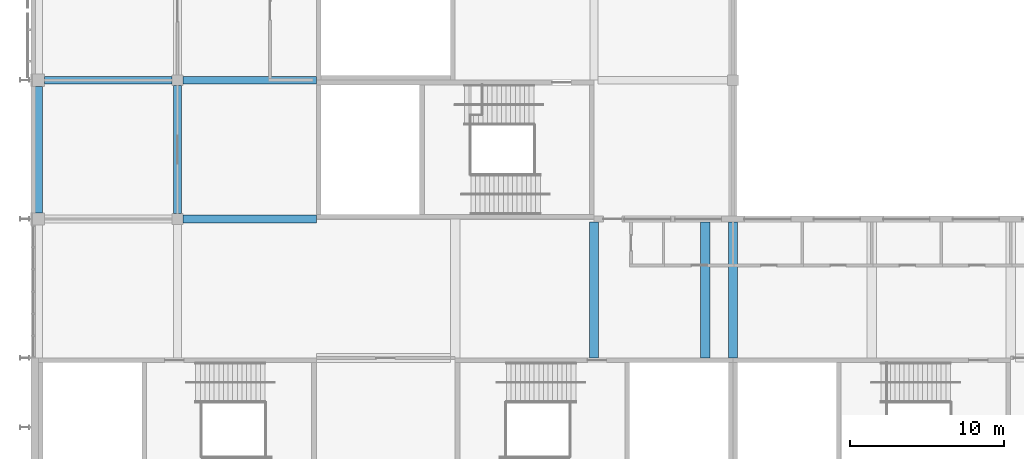
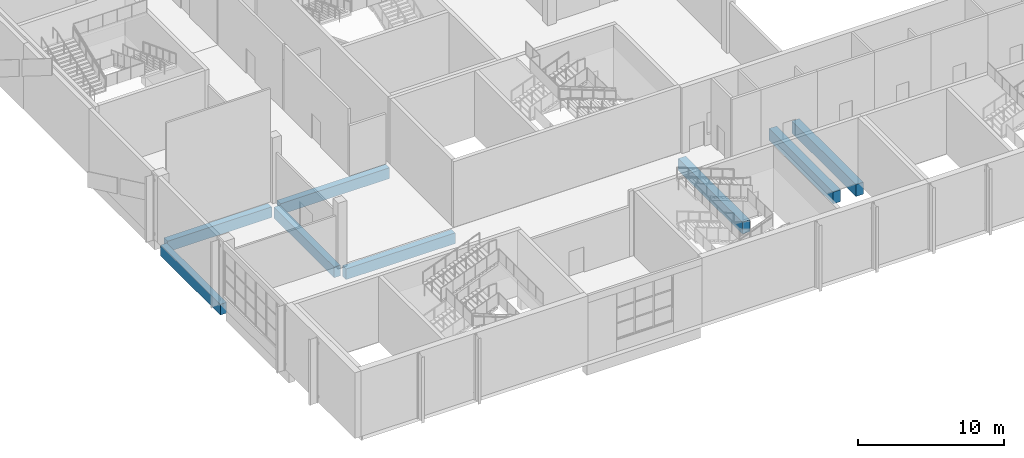
# One storey, part 3 of 84: 8 beams.
"""IFC4 building model written with IfcOpenShell, lengths in metres."""

from ifc_helpers import new_model, si_unit, direction, frame, origin, origin_2d, place, context, subcontext, project, spatial, rectangle, extrude, material, material_profile, profile_set, type_object, element, save


model = new_model("IFC4")

# Units and contexts
model_context = context("Model", 3, precision=1e-05, world=origin(), true_north=direction((0.0, 1.0)))
body_context = subcontext(model_context, "Body", "Model", "MODEL_VIEW")
ifc_project = project(units=[si_unit("LENGTHUNIT", "METRE"), si_unit("AREAUNIT", "SQUARE_METRE"), si_unit("VOLUMEUNIT", "CUBIC_METRE"), si_unit("PLANEANGLEUNIT", "RADIAN"), si_unit("MASSUNIT", "GRAM", prefix="KILO")], contexts=[model_context])

# Site, building, storey
site_placement = place(None, origin())
site = spatial("IfcSite", under=ifc_project, at=site_placement, CompositionType="ELEMENT")
building_placement = place(site_placement, origin())
building = spatial("IfcBuilding", under=site, at=building_placement, Name="Silverbay Arena", CompositionType="ELEMENT")
storey_placement = place(building_placement, frame((0.0, 0.0, 28.0)))
storey = spatial("IfcBuildingStorey", under=building, at=storey_placement, Name="L04", CompositionType="ELEMENT", Elevation=28.0)

# Beams
ifc_material_1 = material(Name="Concrete Grade C45", Category="concrete")
ifc_material_profile_1 = material_profile(ifc_material_1, rectangle(XDim=0.5, YDim=0.89990234375, at=origin_2d()), Name="RC 500x900")
ifc_profile_set_1 = profile_set([ifc_material_profile_1], Name="Concrete Grade C45")
beam_type_1 = type_object("IfcBeamType", Name="RC beam 500x900", PredefinedType="BEAM", material=ifc_profile_set_1)
beam_1_placement = place(storey_placement, frame((63.35009765625, 36.0, -0.75), z_axis=(1.0, 0.0, 0.0), x_axis=(0.0, 1.0, 0.0)))
element("IfcBeam", 1, at=beam_1_placement, inside=storey, type_object=beam_type_1, Name="Floor beam L04 012", PredefinedType="BEAM", context=body_context, shape_type="SweptSolid", body=[
    extrude(rectangle(XDim=0.5, YDim=0.89990234375, at=origin_2d()), origin(), (0.0, 0.0, 1.0), 8.64990234375),
])
beam_2_placement = place(storey_placement, frame((54.39990234375, 45.0, -0.75), z_axis=(1.0, 0.0, 0.0), x_axis=(0.0, 1.0, 0.0)))
element("IfcBeam", 2, at=beam_2_placement, inside=storey, type_object=beam_type_1, Name="Floor beam L04 015", PredefinedType="BEAM", context=body_context, shape_type="SweptSolid", body=[
    extrude(rectangle(XDim=0.5, YDim=0.89990234375, at=origin_2d()), origin(), (0.0, 0.0, 1.0), 8.25),
])
beam_3_placement = place(storey_placement, frame((63.35009765625, 45.0, -0.75), z_axis=(1.0, 0.0, 0.0), x_axis=(0.0, 1.0, 0.0)))
element("IfcBeam", 3, at=beam_3_placement, inside=storey, type_object=beam_type_1, Name="Floor beam L04 016", PredefinedType="BEAM", context=body_context, shape_type="SweptSolid", body=[
    extrude(rectangle(XDim=0.5, YDim=0.89990234375, at=origin_2d()), origin(), (0.0, 0.0, 1.0), 8.64990234375),
])
beam_4_placement = place(storey_placement, frame((54.0, 36.39990234375, -0.75), z_axis=(0.0, 1.0, 0.0), x_axis=(-1.0, 0.0, 0.0)))
element("IfcBeam", 4, at=beam_4_placement, inside=storey, type_object=beam_type_1, Name="Floor beam L04 078", PredefinedType="BEAM", context=body_context, shape_type="SweptSolid", body=[
    extrude(rectangle(XDim=0.5, YDim=0.89990234375, at=origin_2d()), origin(), (0.0, 0.0, 1.0), 8.2001953125),
])
beam_5_placement = place(storey_placement, frame((63.0, 36.35009765625, -0.75), z_axis=(0.0, 1.0, 0.0), x_axis=(-1.0, 0.0, 0.0)))
element("IfcBeam", 5, at=beam_5_placement, inside=storey, type_object=beam_type_1, Name="Floor beam L04 086", PredefinedType="BEAM", context=body_context, shape_type="SweptSolid", body=[
    extrude(rectangle(XDim=0.5, YDim=0.89990234375, at=origin_2d()), origin(), (0.0, 0.0, 1.0), 8.2998046875),
])
ifc_material_2 = material(Name="Concrete Grade C45", Category="concrete")
ifc_material_profile_2 = material_profile(ifc_material_2, rectangle(XDim=0.60009765625, YDim=1.0, at=origin_2d()), Name="RC 600x1000")
ifc_profile_set_2 = profile_set([ifc_material_profile_2], Name="Concrete Grade C45")
beam_type_2 = type_object("IfcBeamType", Name="RC beam 600x1000", PredefinedType="BEAM", material=ifc_profile_set_2)
for number, where, z_axis, x_axis, name in (
    (6, (90.0, 27.0, -0.800048828125), (0.0, 1.0, 0.0), (-1.0, 0.0, 0.0), "Floor beam L04 095"),
    (7, (97.199951171875, 27.0, -0.800048828125), (0.0, 1.0, 0.0), (-1.0, 0.0, 0.0), "Floor beam L04 101"),
    (8, (99.0, 27.0, -0.800048828125), (0.0, 1.0, 0.0), (-1.0, 0.0, 0.0), "Floor beam L04 103"),
):
    element("IfcBeam", number, at=place(storey_placement, frame(where, z_axis=z_axis, x_axis=x_axis)), inside=storey, type_object=beam_type_2, Name=name, PredefinedType="BEAM", context=body_context, shape_type="SweptSolid", body=[
        extrude(rectangle(XDim=0.60009765625, YDim=1.0, at=origin_2d()), origin(), (0.0, 0.0, 1.0), 8.800048828125),
    ])

save(model, "model.ifc")
